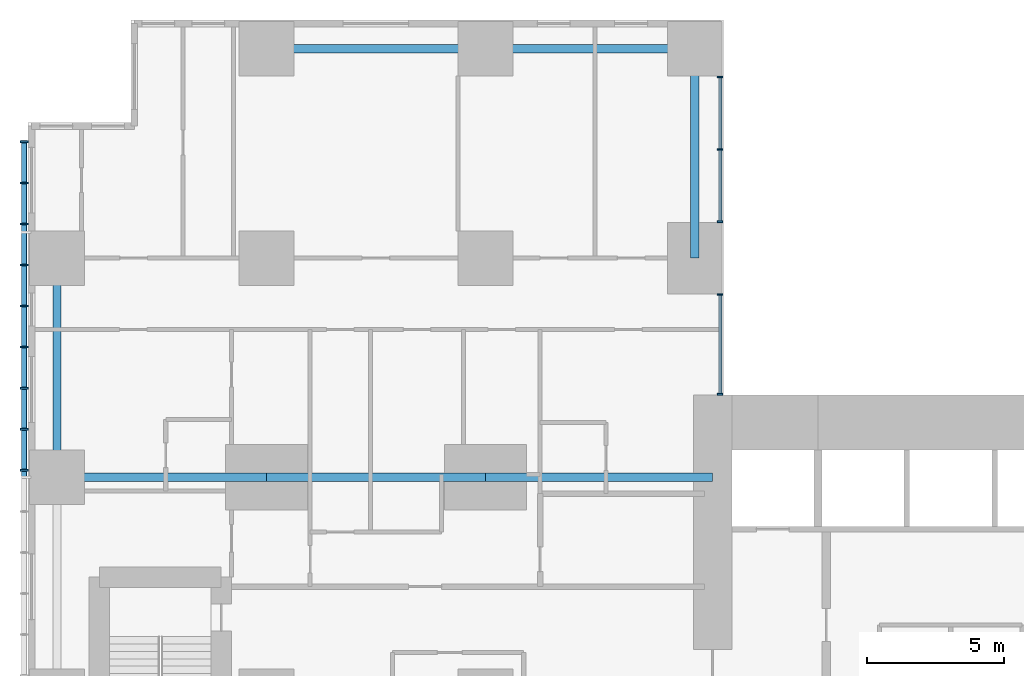
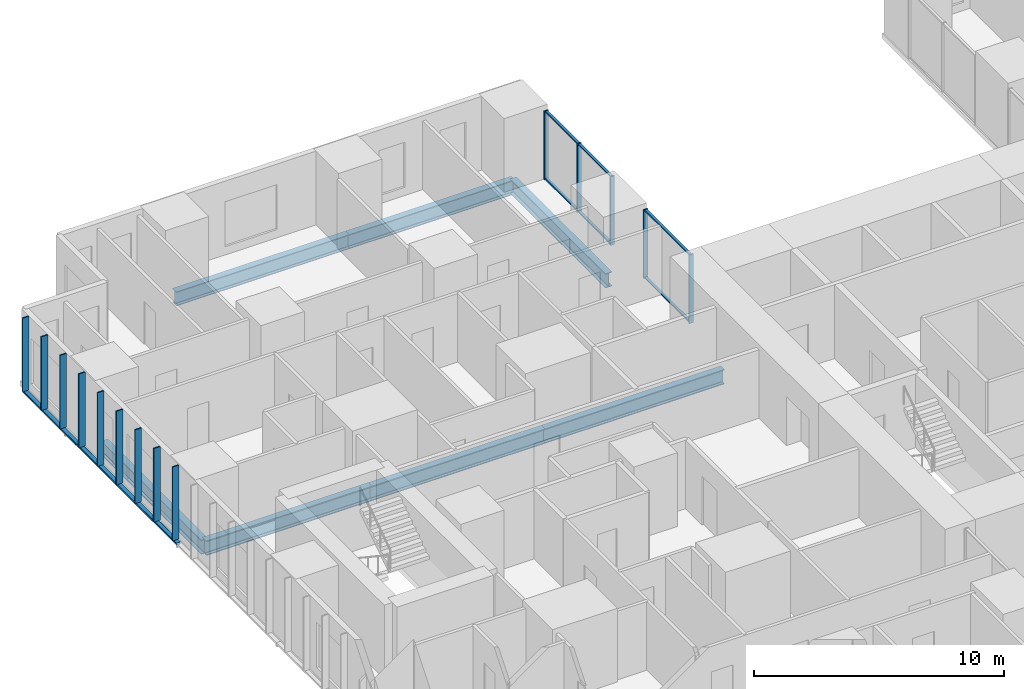
# One storey, part 4 of 20: 21 members, 7 beams, 2 elements without a shape of their own.
"""IFC4 building model written with IfcOpenShell, lengths in metres."""

from ifc_helpers import new_model, si_unit, direction, frame, origin, origin_2d, place, context, subcontext, project, spatial, rectangle, hollow_rectangle, i_section, extrude, material, layer, layer_set, material_profile, profile_set, type_object, element, aggregate, save


model = new_model("IFC4")

# Units and contexts
model_context = context("Model", 3, precision=1e-05, world=origin(), true_north=direction((0.0, 1.0)))
body_context = subcontext(model_context, "Body", "Model", "MODEL_VIEW")
ifc_project = project(units=[si_unit("LENGTHUNIT", "METRE"), si_unit("AREAUNIT", "SQUARE_METRE"), si_unit("VOLUMEUNIT", "CUBIC_METRE"), si_unit("PLANEANGLEUNIT", "RADIAN"), si_unit("MASSUNIT", "GRAM", prefix="KILO")], contexts=[model_context])

# Site, building, storey
site_placement = place(None, origin())
site = spatial("IfcSite", under=ifc_project, at=site_placement, CompositionType="ELEMENT")
building_placement = place(site_placement, origin())
building = spatial("IfcBuilding", under=site, at=building_placement, Name="Cleftline Residences", CompositionType="ELEMENT")
storey_placement = place(building_placement, frame((0.0, 0.0, 143.0)))
storey = spatial("IfcBuildingStorey", under=building, at=storey_placement, Name="L37", CompositionType="ELEMENT", Elevation=143.0)

# Member
ifc_material_1 = material(Name="Steel S355, hot-dip galvanised", Category="steel")
ifc_material_profile_1 = material_profile(ifc_material_1, hollow_rectangle(XDim=0.10009765625, YDim=0.199951171875, WallThickness=0.008056640625, InnerFilletRadius=0.008056640625, OuterFilletRadius=0.011962890625, at=origin_2d()))
ifc_profile_set_1 = profile_set([ifc_material_profile_1], Name="Steel S355, hot-dip galvanised")
member_type_1 = type_object("IfcMemberType", Name="BAGUETTE CARRIER RHS 200X100X8", PredefinedType="USERDEFINED", material=ifc_profile_set_1)
member_1_placement = place(storey_placement, frame((-0.85009765625, 44.300048828125, -0.050048828125), z_axis=(0.0, -1.0, 0.0), x_axis=(0.0, 0.0, 1.0)))
element("IfcMember", 1, at=member_1_placement, inside=storey, type_object=member_type_1, Name="Baguette carrier", ObjectType="BAGUETTE CARRIER", PredefinedType="USERDEFINED", context=body_context, shape_type="SweptSolid", body=[
    extrude(hollow_rectangle(XDim=0.10009765625, YDim=0.199951171875, WallThickness=0.008056640625, InnerFilletRadius=0.008056640625, OuterFilletRadius=0.011962890625, at=origin_2d()), origin(), (0.0, 0.0, 1.0), 12.300048828125),
])

# Beams
ifc_material_2 = material(Name="Steel S355", Category="steel")
ifc_material_profile_2 = material_profile(ifc_material_2, i_section(OverallWidth=0.300048828125, OverallDepth=0.699951171875, WebThickness=0.01708984375, FlangeThickness=0.031982421875, FilletRadius=0.027099609375, at=origin_2d()))
ifc_profile_set_2 = profile_set([ifc_material_profile_2], Name="Steel S355")
beam_type_1 = type_object("IfcBeamType", Name="BEAM HEB 700", PredefinedType="BEAM", material=ifc_profile_set_2)
for number, where, z_axis, x_axis, name in (
    (2, (0.35009765625, 32.0, -0.60009765625), (0.0, 1.0, 0.0), (-1.0, 0.0, 0.0), "Edge beam"),
    (3, (8.0, 47.64990234375, -0.60009765625), (1.0, 0.0, 0.0), (0.0, 1.0, 0.0), "Edge beam"),
):
    element("IfcBeam", number, at=place(storey_placement, frame(where, z_axis=z_axis, x_axis=x_axis)), inside=storey, type_object=beam_type_1, Name=name, PredefinedType="BEAM", context=body_context, shape_type="SweptSolid", body=[
        extrude(i_section(OverallWidth=0.300048828125, OverallDepth=0.699951171875, WebThickness=0.01708984375, FlangeThickness=0.031982421875, FilletRadius=0.027099609375, at=origin_2d()), origin(), (0.0, 0.0, 1.0), 8.0),
    ])
for number, where, z_axis, x_axis, name in (
    (4, (16.0, 47.64990234375, -0.60009765625), (1.0, 0.0, 0.0), (0.0, 1.0, 0.0), "Edge beam"),
    (5, (23.64990234375, 47.64990234375, -0.60009765625), (0.0, -1.0, 0.0), (1.0, 0.0, 0.0), "Edge beam"),
):
    element("IfcBeam", number, at=place(storey_placement, frame(where, z_axis=z_axis, x_axis=x_axis)), inside=storey, type_object=beam_type_1, Name=name, PredefinedType="BEAM", context=body_context, shape_type="SweptSolid", body=[
        extrude(i_section(OverallWidth=0.300048828125, OverallDepth=0.699951171875, WebThickness=0.01708984375, FlangeThickness=0.031982421875, FilletRadius=0.027099609375, at=origin_2d()), origin(), (0.0, 0.0, 1.0), 7.64990234375),
    ])
ifc_material_3 = material(Name="Steel S355", Category="steel")
ifc_material_profile_3 = material_profile(ifc_material_3, i_section(OverallWidth=0.303955078125, OverallDepth=0.716064453125, WebThickness=0.02099609375, FlangeThickness=0.0400390625, FilletRadius=0.027099609375, at=origin_2d()))
ifc_profile_set_3 = profile_set([ifc_material_profile_3], Name="Steel S355")
beam_type_2 = type_object("IfcBeamType", Name="BEAM HEM 700", PredefinedType="BEAM", material=ifc_profile_set_3)
beam_1_placement = place(storey_placement, frame((0.35009765625, 32.0, -0.60791015625), z_axis=(1.0, 0.0, 0.0), x_axis=(0.0, 1.0, 0.0)))
element("IfcBeam", 6, at=beam_1_placement, inside=storey, type_object=beam_type_2, Name="Band beam", PredefinedType="BEAM", context=body_context, shape_type="SweptSolid", body=[
    extrude(i_section(OverallWidth=0.303955078125, OverallDepth=0.716064453125, WebThickness=0.02099609375, FlangeThickness=0.0400390625, FilletRadius=0.027099609375, at=origin_2d()), origin(), (0.0, 0.0, 1.0), 7.64990234375),
])
beam_2_placement = place(storey_placement, frame((8.0, 32.0, -0.60791015625), z_axis=(1.0, 0.0, 0.0), x_axis=(0.0, 1.0, 0.0)))
element("IfcBeam", 7, at=beam_2_placement, inside=storey, type_object=beam_type_2, Name="Band beam", PredefinedType="BEAM", context=body_context, shape_type="SweptSolid", body=[
    extrude(i_section(OverallWidth=0.303955078125, OverallDepth=0.716064453125, WebThickness=0.02099609375, FlangeThickness=0.0400390625, FilletRadius=0.027099609375, at=origin_2d()), origin(), (0.0, 0.0, 1.0), 8.0),
])
beam_3_placement = place(storey_placement, frame((16.0, 32.0, -0.60791015625), z_axis=(1.0, 0.0, 0.0), x_axis=(0.0, 1.0, 0.0)))
element("IfcBeam", 8, at=beam_3_placement, inside=storey, type_object=beam_type_2, Name="Band beam", PredefinedType="BEAM", context=body_context, shape_type="SweptSolid", body=[
    extrude(i_section(OverallWidth=0.303955078125, OverallDepth=0.716064453125, WebThickness=0.02099609375, FlangeThickness=0.0400390625, FilletRadius=0.027099609375, at=origin_2d()), origin(), (0.0, 0.0, 1.0), 8.300048828125),
])

# Curtain wall, members
ifc_material_4 = material(Name="Aluminium framed curtain wall", Category="aluminium")
ifc_layer = layer(ifc_material_4, 0.199951171875)
ifc_layer_set = layer_set([ifc_layer], Name="CW1 CLEFT GLAZING")
curtain_wall_type = type_object("IfcCurtainWallType", Name="CW1 CLEFT GLAZING", PredefinedType="NOTDEFINED", material=ifc_layer_set)
curtain_wall_1_placement = place(storey_placement, origin())
curtain_wall_1 = element("IfcCurtainWall", 9, at=curtain_wall_1_placement, inside=storey, type_object=curtain_wall_type, Name="Curtain wall CW1", PredefinedType="NOTDEFINED")
ifc_material_5 = material(Name="Aluminium mullion", Category="aluminium")
ifc_material_profile_4 = material_profile(ifc_material_5, rectangle(XDim=0.199951171875, YDim=0.06005859375, at=origin_2d()))
ifc_profile_set_4 = profile_set([ifc_material_profile_4], Name="Aluminium mullion")
member_type_2 = type_object("IfcMemberType", Name="CW1 MULLION", PredefinedType="MULLION", material=ifc_profile_set_4)
member_2_placement = place(storey_placement, frame((24.574951171875, 35.030029296875, 0.0), z_axis=(0.0, 0.0, 1.0), x_axis=(-1.0, 0.0, 0.0)))
member_2 = element("IfcMember", 10, at=member_2_placement, type_object=member_type_2, Name="CW1 mullion 1", PredefinedType="MULLION", context=body_context, shape_type="SweptSolid", body=[
    extrude(rectangle(XDim=0.199951171875, YDim=0.06005859375, at=origin_2d()), origin(), (0.0, 0.0, 1.0), 3.35009765625),
])
member_3_placement = place(storey_placement, frame((24.574951171875, 38.669921875, 0.0), z_axis=(0.0, 0.0, 1.0), x_axis=(-1.0, 0.0, 0.0)))
member_3 = element("IfcMember", 11, at=member_3_placement, type_object=member_type_2, Name="CW1 mullion 2", PredefinedType="MULLION", context=body_context, shape_type="SweptSolid", body=[
    extrude(rectangle(XDim=0.199951171875, YDim=0.06005859375, at=origin_2d()), origin(), (0.0, 0.0, 1.0), 3.35009765625),
])

curtain_wall_2_placement = place(storey_placement, origin())
curtain_wall_2 = element("IfcCurtainWall", 12, at=curtain_wall_2_placement, inside=storey, type_object=curtain_wall_type, Name="Curtain wall CW1", PredefinedType="NOTDEFINED")
member_4_placement = place(storey_placement, frame((24.574951171875, 41.330078125, 0.0), z_axis=(0.0, 0.0, 1.0), x_axis=(-1.0, 0.0, 0.0)))
member_4 = element("IfcMember", 13, at=member_4_placement, type_object=member_type_2, Name="CW1 mullion 1", PredefinedType="MULLION", context=body_context, shape_type="SweptSolid", body=[
    extrude(rectangle(XDim=0.199951171875, YDim=0.06005859375, at=origin_2d()), origin(), (0.0, 0.0, 1.0), 3.35009765625),
])
member_5_placement = place(storey_placement, frame((24.574951171875, 43.97509765625, 0.0), z_axis=(0.0, 0.0, 1.0), x_axis=(-1.0, 0.0, 0.0)))
member_5 = element("IfcMember", 14, at=member_5_placement, type_object=member_type_2, Name="CW1 mullion 2", PredefinedType="MULLION", context=body_context, shape_type="SweptSolid", body=[
    extrude(rectangle(XDim=0.199951171875, YDim=0.06005859375, at=origin_2d()), origin(), (0.0, 0.0, 1.0), 3.35009765625),
])
member_6_placement = place(storey_placement, frame((24.574951171875, 46.6201171875, 0.0), z_axis=(0.0, 0.0, 1.0), x_axis=(-1.0, 0.0, 0.0)))
member_6 = element("IfcMember", 15, at=member_6_placement, type_object=member_type_2, Name="CW1 mullion 3", PredefinedType="MULLION", context=body_context, shape_type="SweptSolid", body=[
    extrude(rectangle(XDim=0.199951171875, YDim=0.06005859375, at=origin_2d()), origin(), (0.0, 0.0, 1.0), 3.35009765625),
])

# Member
ifc_material_6 = material(Name="Aluminium transom", Category="aluminium")
ifc_material_profile_5 = material_profile(ifc_material_6, rectangle(XDim=0.1201171875, YDim=0.06005859375, at=origin_2d()))
ifc_profile_set_5 = profile_set([ifc_material_profile_5], Name="Aluminium transom")
member_type_3 = type_object("IfcMemberType", Name="CW1 TRANSOM", PredefinedType="USERDEFINED", material=ifc_profile_set_5)
member_7_placement = place(storey_placement, frame((24.574951171875, 35.06005859375, 0.030029296875), z_axis=(0.0, 1.0, 0.0), x_axis=(-1.0, 0.0, 0.0)))
member_7 = element("IfcMember", 16, at=member_7_placement, type_object=member_type_3, Name="CW1 transom 1.1", ObjectType="TRANSOM", PredefinedType="USERDEFINED", context=body_context, shape_type="SweptSolid", body=[
    extrude(rectangle(XDim=0.1201171875, YDim=0.06005859375, at=origin_2d()), origin(), (0.0, 0.0, 1.0), 3.579833984375),
])

member_8_placement = place(storey_placement, frame((24.574951171875, 35.06005859375, 3.320068359375), z_axis=(0.0, 1.0, 0.0), x_axis=(-1.0, 0.0, 0.0)))
member_8 = element("IfcMember", 17, at=member_8_placement, type_object=member_type_3, Name="CW1 transom 1.2", ObjectType="TRANSOM", PredefinedType="USERDEFINED", context=body_context, shape_type="SweptSolid", body=[
    extrude(rectangle(XDim=0.1201171875, YDim=0.06005859375, at=origin_2d()), origin(), (0.0, 0.0, 1.0), 3.579833984375),
])

aggregate(curtain_wall_1, [member_2, member_3, member_7, member_8])

member_9_placement = place(storey_placement, frame((24.574951171875, 41.360107421875, 0.030029296875), z_axis=(0.0, 1.0, 0.0), x_axis=(-1.0, 0.0, 0.0)))
member_9 = element("IfcMember", 18, at=member_9_placement, type_object=member_type_3, Name="CW1 transom 1.1", ObjectType="TRANSOM", PredefinedType="USERDEFINED", context=body_context, shape_type="SweptSolid", body=[
    extrude(rectangle(XDim=0.1201171875, YDim=0.06005859375, at=origin_2d()), origin(), (0.0, 0.0, 1.0), 2.5849609375),
])

member_10_placement = place(storey_placement, frame((24.574951171875, 41.360107421875, 3.320068359375), z_axis=(0.0, 1.0, 0.0), x_axis=(-1.0, 0.0, 0.0)))
member_10 = element("IfcMember", 19, at=member_10_placement, type_object=member_type_3, Name="CW1 transom 1.2", ObjectType="TRANSOM", PredefinedType="USERDEFINED", context=body_context, shape_type="SweptSolid", body=[
    extrude(rectangle(XDim=0.1201171875, YDim=0.06005859375, at=origin_2d()), origin(), (0.0, 0.0, 1.0), 2.5849609375),
])

member_11_placement = place(storey_placement, frame((24.574951171875, 44.0048828125, 0.030029296875), z_axis=(0.0, 1.0, 0.0), x_axis=(-1.0, 0.0, 0.0)))
member_11 = element("IfcMember", 20, at=member_11_placement, type_object=member_type_3, Name="CW1 transom 2.1", ObjectType="TRANSOM", PredefinedType="USERDEFINED", context=body_context, shape_type="SweptSolid", body=[
    extrude(rectangle(XDim=0.1201171875, YDim=0.06005859375, at=origin_2d()), origin(), (0.0, 0.0, 1.0), 2.585205078125),
])

member_12_placement = place(storey_placement, frame((24.574951171875, 44.0048828125, 3.320068359375), z_axis=(0.0, 1.0, 0.0), x_axis=(-1.0, 0.0, 0.0)))
member_12 = element("IfcMember", 21, at=member_12_placement, type_object=member_type_3, Name="CW1 transom 2.2", ObjectType="TRANSOM", PredefinedType="USERDEFINED", context=body_context, shape_type="SweptSolid", body=[
    extrude(rectangle(XDim=0.1201171875, YDim=0.06005859375, at=origin_2d()), origin(), (0.0, 0.0, 1.0), 2.585205078125),
])

aggregate(curtain_wall_2, [member_4, member_5, member_6, member_9, member_10, member_11, member_12])

# Members
ifc_material_7 = material(Name="Extruded terracotta", Category="masonry")
ifc_material_profile_6 = material_profile(ifc_material_7, rectangle(XDim=0.06005859375, YDim=0.300048828125, at=origin_2d()))
ifc_profile_set_6 = profile_set([ifc_material_profile_6], Name="Extruded terracotta")
member_type_4 = type_object("IfcMemberType", Name="TERRACOTTA BAGUETTE 60X300", PredefinedType="USERDEFINED", material=ifc_profile_set_6)
for number, where, z_axis, x_axis, name in (
    (22, (-0.85009765625, 44.25, 0.0), (0.0, 0.0, 1.0), (0.0, 1.0, 0.0), "Terracotta baguette"),
    (23, (-0.85009765625, 42.75, 0.0), (0.0, 0.0, 1.0), (0.0, 1.0, 0.0), "Terracotta baguette"),
    (24, (-0.85009765625, 41.25, 0.0), (0.0, 0.0, 1.0), (0.0, 1.0, 0.0), "Terracotta baguette"),
    (25, (-0.85009765625, 39.75, 0.0), (0.0, 0.0, 1.0), (0.0, 1.0, 0.0), "Terracotta baguette"),
    (26, (-0.85009765625, 38.25, 0.0), (0.0, 0.0, 1.0), (0.0, 1.0, 0.0), "Terracotta baguette"),
    (27, (-0.85009765625, 36.75, 0.0), (0.0, 0.0, 1.0), (0.0, 1.0, 0.0), "Terracotta baguette"),
    (28, (-0.85009765625, 35.25, 0.0), (0.0, 0.0, 1.0), (0.0, 1.0, 0.0), "Terracotta baguette"),
    (29, (-0.85009765625, 33.75, 0.0), (0.0, 0.0, 1.0), (0.0, 1.0, 0.0), "Terracotta baguette"),
    (30, (-0.85009765625, 32.25, 0.0), (0.0, 0.0, 1.0), (0.0, 1.0, 0.0), "Terracotta baguette"),
):
    element("IfcMember", number, at=place(storey_placement, frame(where, z_axis=z_axis, x_axis=x_axis)), inside=storey, type_object=member_type_4, Name=name, ObjectType="BAGUETTE", PredefinedType="USERDEFINED", context=body_context, shape_type="SweptSolid", body=[
        extrude(rectangle(XDim=0.06005859375, YDim=0.300048828125, at=origin_2d()), origin(), (0.0, 0.0, 1.0), 3.60009765625),
    ])

save(model, "model.ifc")
